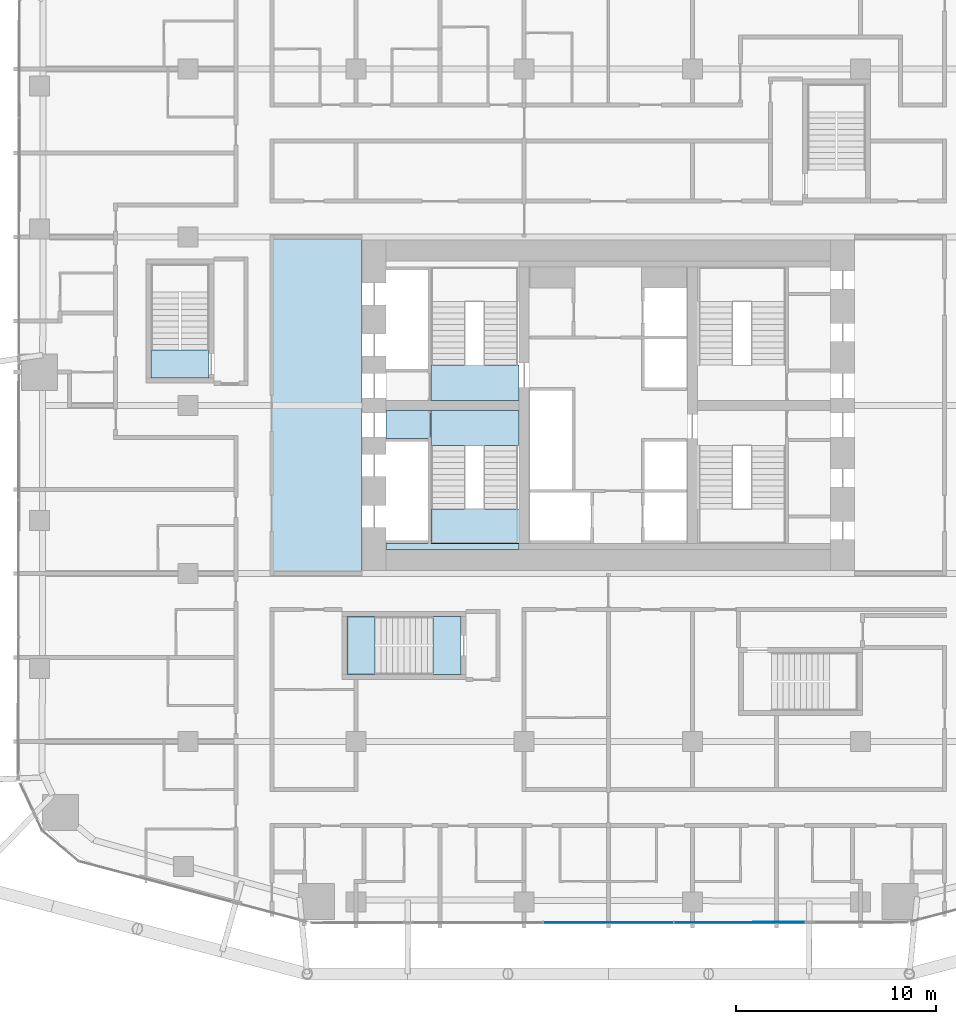
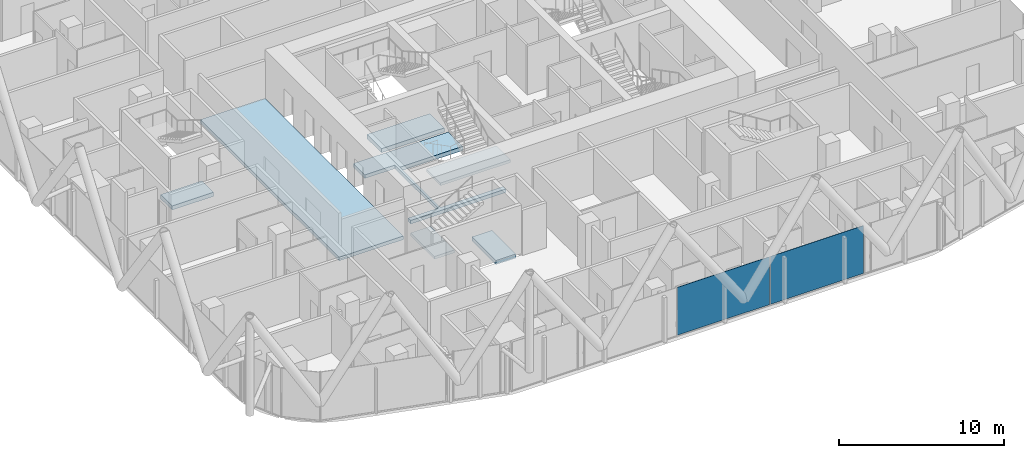
# One storey, part 21 of 38: 8 slabs, 2 plates, 3 elements without a shape of their own.
"""IFC4 building model written with IfcOpenShell, lengths in metres."""

from ifc_helpers import new_model, si_unit, direction, frame, origin, origin_2d, place, context, subcontext, project, spatial, polyline, rectangle, outline, extrude, material, layer, layer_set, type_object, element, aggregate, save


model = new_model("IFC4")

# Units and contexts
model_context = context("Model", 3, precision=1e-05, world=origin(), true_north=direction((0.0, 1.0)))
body_context = subcontext(model_context, "Body", "Model", "MODEL_VIEW")
ifc_project = project(units=[si_unit("LENGTHUNIT", "METRE"), si_unit("AREAUNIT", "SQUARE_METRE"), si_unit("VOLUMEUNIT", "CUBIC_METRE"), si_unit("PLANEANGLEUNIT", "RADIAN"), si_unit("MASSUNIT", "GRAM", prefix="KILO")], contexts=[model_context])

# Site, building, storey
site_placement = place(None, origin())
site = spatial("IfcSite", under=ifc_project, at=site_placement, CompositionType="ELEMENT")
building_placement = place(site_placement, origin())
building = spatial("IfcBuilding", under=site, at=building_placement, Name="Marenta Gate Hotel Tower", CompositionType="ELEMENT")
storey_placement = place(building_placement, frame((0.0, 0.0, 40.10009765625)))
storey = spatial("IfcBuildingStorey", under=building, at=storey_placement, Name="L07", CompositionType="ELEMENT", Elevation=40.10009765625)

# Slabs
ifc_material_1 = material(Name="Concrete C40", Category="concrete")
ifc_layer_1 = layer(ifc_material_1, 0.260009765625)
ifc_layer_set_1 = layer_set([ifc_layer_1], Name="Concrete C40")
slab_type_1 = type_object("IfcSlabType", Name="Core floor slab 260", PredefinedType="FLOOR", material=ifc_layer_set_1)
slab_1_placement = place(storey_placement, frame((0.0, 0.0, -0.260009765625)))
element("IfcSlab", 1, at=slab_1_placement, inside=storey, type_object=slab_type_1, Name="L07-CF-5", PredefinedType="FLOOR", context=body_context, shape_type="SweptSolid", body=[
    extrude(outline(polyline([(-9.0, 1.5), (-9.0, 1.64990234375), (-9.0, 4.050048828125), (-9.0, 4.199951171875), (-9.0, 6.60009765625), (-9.0, 6.75), (-11.10009765625, 6.75), (-11.10009765625, 8.14990234375), (-8.85009765625, 8.14990234375), (-8.85009765625, 8.10009765625), (-8.85009765625, 6.39990234375), (-8.85009765625, 1.5), (-4.449951171875, 1.5), (-4.449951171875, 1.199951171875), (-11.10009765625, 1.199951171875), (-11.10009765625, 1.5), (-9.0, 1.5)])), origin(), (0.0, 0.0, 1.0), 0.260009765625),
])
slab_2_placement = place(storey_placement, frame((0.0, 0.0, -0.260009765625)))
element("IfcSlab", 2, at=slab_2_placement, inside=storey, type_object=slab_type_1, Name="L07-CF-7", PredefinedType="FLOOR", context=body_context, shape_type="SweptSolid", body=[
    extrude(outline(polyline([(-12.300048828125, 16.800048828125), (-12.300048828125, 0.0), (-16.800048828125, 0.0), (-16.800048828125, 16.800048828125), (-12.300048828125, 16.800048828125)])), origin(), (0.0, 0.0, 1.0), 0.260009765625),
])

# Stair, slab
ifc_material_2 = material(Name="Concrete C40", Category="concrete")
stair_type_1 = type_object("IfcStairType", Name="Core exit stair 1700 wide", PredefinedType="HALF_TURN_STAIR", material=ifc_material_2)
stair_1_placement = place(storey_placement, origin())
stair_1 = element("IfcStair", 3, at=stair_1_placement, inside=storey, type_object=stair_type_1, Name="Exit stair 1", PredefinedType="HALF_TURN_STAIR")
ifc_material_3 = material(Name="Concrete C40", Category="concrete")
ifc_layer_2 = layer(ifc_material_3, 0.199951171875)
ifc_layer_set_2 = layer_set([ifc_layer_2], Name="Concrete C40")
slab_type_2 = type_object("IfcSlabType", Name="Core stair landing 200", PredefinedType="LANDING", material=ifc_layer_set_2)
slab_3_placement = place(storey_placement, frame((0.0, 0.0, 1.599853515625)))
slab_3 = element("IfcSlab", 4, at=slab_3_placement, type_object=slab_type_2, Name="SL-200 ST1 landing 1", PredefinedType="LANDING", context=body_context, shape_type="SweptSolid", body=[
    extrude(outline(polyline([(-8.85009765625, 1.5), (-3.949951171875, 1.5), (-3.949951171875, 3.2099609375), (-8.85009765625, 3.2099609375), (-8.85009765625, 1.5)])), origin(), (0.0, 0.0, 1.0), 0.199951171875),
])
aggregate(stair_1, [slab_3])

# Curtain wall, plates
ifc_material_4 = material(Name="Tinted insulated glass in bronze anodised frame", Category="glass")
ifc_layer_3 = layer(ifc_material_4, 0.1201171875)
ifc_layer_set_3 = layer_set([ifc_layer_3], Name="Tinted insulated glass in bronze anodised frame")
curtain_wall_type = type_object("IfcCurtainWallType", Name="Tower unitised curtain wall CW1", PredefinedType="NOTDEFINED", material=ifc_layer_set_3)
curtain_wall_placement = place(storey_placement, origin())
curtain_wall = element("IfcCurtainWall", 5, at=curtain_wall_placement, inside=storey, type_object=curtain_wall_type, Name="CW1 run G20", PredefinedType="NOTDEFINED")
ifc_material_5 = material(Name="Tinted insulated glass", Category="glass")
ifc_layer_4 = layer(ifc_material_5, 0.028076171875)
ifc_layer_set_4 = layer_set([ifc_layer_4], Name="Tinted insulated glass")
plate_type = type_object("IfcPlateType", Name="Glass panel CW1 28 mm tinted insulated unit", PredefinedType="CURTAIN_PANEL", material=ifc_layer_set_4)
plate_1_placement = place(storey_placement, frame((0.007080078125, -17.430419921875, 0.059814453125), z_axis=(0.0, 0.0, 1.0), x_axis=(0.999999323345, 0.001163317936, 0.0)))
plate_1 = element("IfcPlate", 6, at=plate_1_placement, type_object=plate_type, Name="CW1 panel 2.1", PredefinedType="CURTAIN_PANEL", context=body_context, shape_type="SweptSolid", body=[
    extrude(rectangle(XDim=6.47314453125, YDim=0.028076171875, at=origin_2d()), origin(), (0.0, 0.0, 1.0), 3.5400390625),
])
plate_2_placement = place(storey_placement, frame((6.55517578125, -17.4228515625, 0.059814453125), z_axis=(0.0, 0.0, 1.0), x_axis=(0.999999323345, 0.001163317936, 0.0)))
plate_2 = element("IfcPlate", 7, at=plate_2_placement, type_object=plate_type, Name="CW1 panel 3.1", PredefinedType="CURTAIN_PANEL", context=body_context, shape_type="SweptSolid", body=[
    extrude(rectangle(XDim=6.5029296875, YDim=0.028076171875, at=origin_2d()), origin(), (0.0, 0.0, 1.0), 3.5400390625),
])
aggregate(curtain_wall, [plate_1, plate_2])

# Stair, slab
ifc_material_6 = material(Name="Concrete C40", Category="concrete")
stair_type_2 = type_object("IfcStairType", Name="Remote exit stair 1400 wide", PredefinedType="HALF_TURN_STAIR", material=ifc_material_6)
stair_2_placement = place(storey_placement, origin())
stair_2 = element("IfcStair", 8, at=stair_2_placement, inside=storey, type_object=stair_type_2, Name="Exit stair RS-Z1-2", PredefinedType="HALF_TURN_STAIR")
ifc_material_7 = material(Name="Concrete C40", Category="concrete")
ifc_layer_5 = layer(ifc_material_7, 0.199951171875)
ifc_layer_set_5 = layer_set([ifc_layer_5], Name="Concrete C40")
slab_type_3 = type_object("IfcSlabType", Name="Remote stair landing 200", PredefinedType="LANDING", material=ifc_layer_set_5)
slab_4_placement = place(storey_placement, frame((0.0, 0.0, 1.599853515625)))
slab_4 = element("IfcSlab", 9, at=slab_4_placement, type_object=slab_type_3, Name="RL-200 RS-Z1-2 landing 1", PredefinedType="LANDING", context=body_context, shape_type="SweptSolid", body=[
    extrude(outline(polyline([(-13.050048828125, -5.050048828125), (-11.64990234375, -5.050048828125), (-11.64990234375, -2.14990234375), (-13.050048828125, -2.14990234375), (-13.050048828125, -5.050048828125)])), origin(), (0.0, 0.0, 1.0), 0.199951171875),
])
aggregate(stair_2, [slab_4])

# Slabs
ifc_material_8 = material(Name="Concrete C40", Category="concrete")
ifc_layer_6 = layer(ifc_material_8, 0.300048828125)
ifc_layer_set_6 = layer_set([ifc_layer_6], Name="Concrete C40")
slab_type_4 = type_object("IfcSlabType", Name="Stair floor landing slab 300", PredefinedType="FLOOR", material=ifc_layer_set_6)
slab_5_placement = place(storey_placement, frame((0.0, 0.0, -0.300048828125)))
element("IfcSlab", 10, at=slab_5_placement, inside=storey, type_object=slab_type_4, Name="L07-CL-ST1-1", PredefinedType="FLOOR", context=body_context, shape_type="SweptSolid", body=[
    extrude(outline(polyline([(-4.449951171875, 6.39990234375), (-8.85009765625, 6.39990234375), (-8.85009765625, 8.10009765625), (-8.85009765625, 8.14990234375), (-4.449951171875, 8.14990234375), (-4.449951171875, 6.39990234375)])), origin(), (0.0, 0.0, 1.0), 0.300048828125),
])
slab_6_placement = place(storey_placement, frame((0.0, 0.0, -0.300048828125)))
element("IfcSlab", 11, at=slab_6_placement, inside=storey, type_object=slab_type_4, Name="L07-CL-ST2-1", PredefinedType="FLOOR", context=body_context, shape_type="SweptSolid", body=[
    extrude(outline(polyline([(-4.449951171875, 8.64990234375), (-8.85009765625, 8.64990234375), (-8.85009765625, 8.699951171875), (-8.85009765625, 10.39990234375), (-4.449951171875, 10.39990234375), (-4.449951171875, 8.64990234375)])), origin(), (0.0, 0.0, 1.0), 0.300048828125),
])
slab_7_placement = place(storey_placement, frame((0.0, 0.0, -0.300048828125)))
element("IfcSlab", 12, at=slab_7_placement, inside=storey, type_object=slab_type_4, Name="L07-RS-Z1-2-CL", PredefinedType="FLOOR", context=body_context, shape_type="SweptSolid", body=[
    extrude(outline(polyline([(-7.35009765625, -5.050048828125), (-7.35009765625, -2.14990234375), (-8.75, -2.14990234375), (-8.75, -5.050048828125), (-7.35009765625, -5.050048828125)])), origin(), (0.0, 0.0, 1.0), 0.300048828125),
])
slab_8_placement = place(storey_placement, frame((0.0, 0.0, -0.300048828125)))
element("IfcSlab", 13, at=slab_8_placement, inside=storey, type_object=slab_type_4, Name="L07-RS-Z1-3-CL", PredefinedType="FLOOR", context=body_context, shape_type="SweptSolid", body=[
    extrude(outline(polyline([(-19.949951171875, 9.75), (-19.949951171875, 11.14990234375), (-22.85009765625, 11.14990234375), (-22.85009765625, 9.75), (-19.949951171875, 9.75)])), origin(), (0.0, 0.0, 1.0), 0.300048828125),
])

save(model, "model.ifc")
